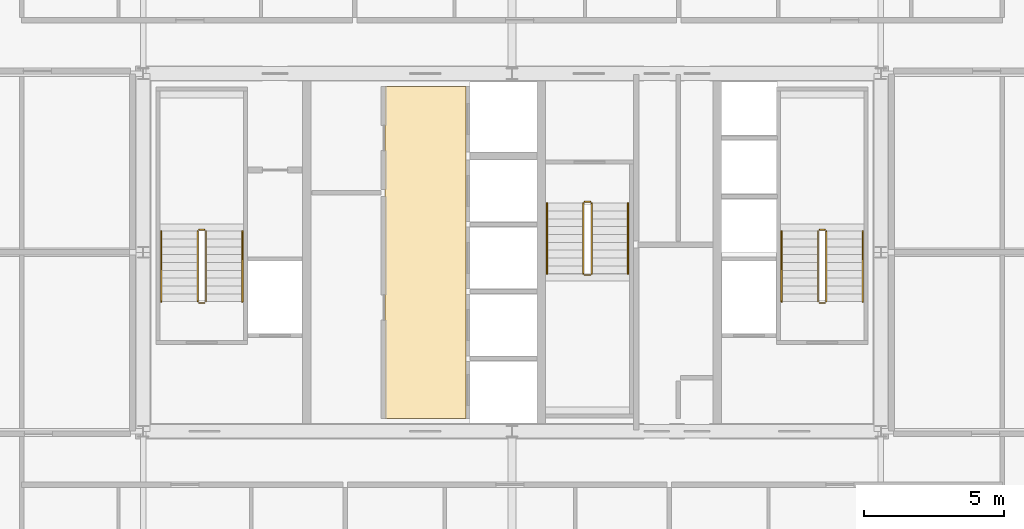
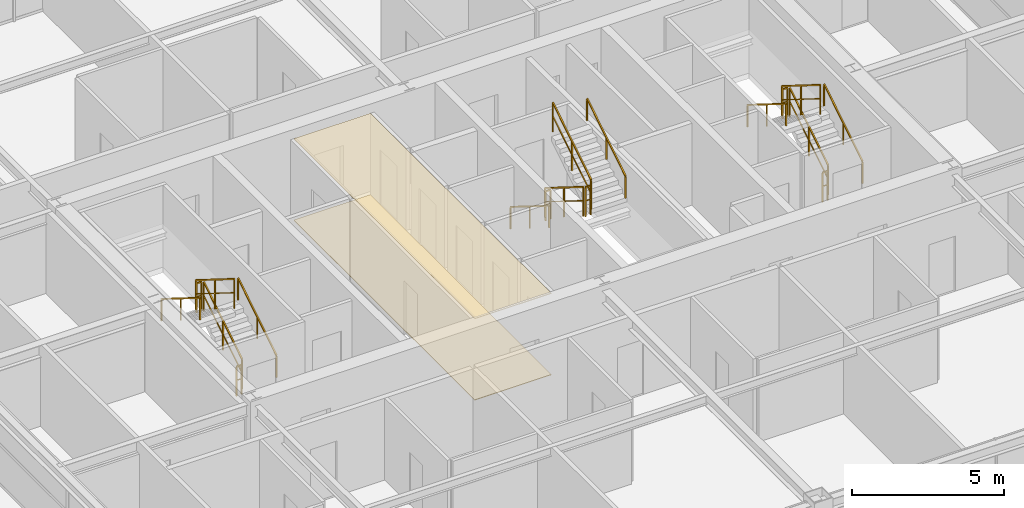
# One storey, part 36 of 36: 18 railings, 2 coverings.
"""IFC4 building model written with IfcOpenShell, lengths in metres."""

from ifc_helpers import new_model, si_unit, direction, frame, origin, origin_2d, place, context, subcontext, project, spatial, polyline, rectangle, outline, extrude, source, transform, mapped, material, layer, layer_set, type_object, element, save


model = new_model("IFC4")

# Units and contexts
model_context = context("Model", 3, precision=1e-05, world=origin(), true_north=direction((0.0, 1.0)))
body_context = subcontext(model_context, "Body", "Model", "MODEL_VIEW")
ifc_project = project(units=[si_unit("LENGTHUNIT", "METRE"), si_unit("AREAUNIT", "SQUARE_METRE"), si_unit("VOLUMEUNIT", "CUBIC_METRE"), si_unit("PLANEANGLEUNIT", "RADIAN"), si_unit("MASSUNIT", "GRAM", prefix="KILO"), si_unit("THERMODYNAMICTEMPERATUREUNIT", "KELVIN"), si_unit("POWERUNIT", "WATT")], contexts=[model_context])

# Site, building, storey
site_placement = place(None, origin())
site = spatial("IfcSite", under=ifc_project, at=site_placement, CompositionType="ELEMENT")
building_placement = place(site_placement, origin())
building = spatial("IfcBuilding", under=site, at=building_placement, Name="Yuzanri Waterfront Tower", CompositionType="ELEMENT")
storey_placement = place(building_placement, frame((0.0, 0.0, 238.10009765625)))
storey = spatial("IfcBuildingStorey", under=building, at=storey_placement, Name="L63", CompositionType="ELEMENT", Elevation=238.10009765625)

# Coverings
ifc_material_1 = material(Name="Engineered Smoked-Oak Timber", Category="wood")
ifc_layer_1 = layer(ifc_material_1, 0.02197265625)
ifc_layer_set_1 = layer_set([ifc_layer_1], Name="Engineered Smoked-Oak Timber")
covering_type_1 = type_object("IfcCoveringType", Name="Engineered Smoked-Oak Residence Flooring 22", PredefinedType="FLOORING", material=ifc_layer_set_1)
covering_1_placement = place(storey_placement, origin())
element("IfcCovering", 1, at=covering_1_placement, inside=storey, type_object=covering_type_1, Name="L63 Smoked-Oak Floor Finish", PredefinedType="FLOORING", context=body_context, shape_type="SweptSolid", body=[
    extrude(outline(polyline([(32.449951171875, 19.860107421875), (35.35009765625, 19.860107421875), (35.35009765625, 31.739990234375), (32.449951171875, 31.739990234375), (32.449951171875, 19.860107421875)])), origin(), (0.0, 0.0, 1.0), 0.02197265625),
])
ifc_material_2 = material(Name="Acoustic Mineral-Fibre Ceiling Board", Category="gypsum")
ifc_layer_2 = layer(ifc_material_2, 0.02490234375)
ifc_layer_set_2 = layer_set([ifc_layer_2], Name="Acoustic Mineral-Fibre Ceiling Board")
covering_type_2 = type_object("IfcCoveringType", Name="Perforated Mineral-Fibre Acoustic Ceiling Tile 25", PredefinedType="CEILING", material=ifc_layer_set_2)
covering_2_placement = place(storey_placement, frame((0.0, 0.0, 3.2548828125)))
element("IfcCovering", 2, at=covering_2_placement, inside=storey, type_object=covering_type_2, Name="L63 Acoustic Mineral-Fibre Ceiling", PredefinedType="CEILING", context=body_context, shape_type="SweptSolid", body=[
    extrude(outline(polyline([(32.449951171875, 19.860107421875), (35.35009765625, 19.860107421875), (35.35009765625, 31.739990234375), (32.449951171875, 31.739990234375), (32.449951171875, 19.860107421875)])), origin(), (0.0, 0.0, 1.0), 0.02490234375),
])

# Railings
ifc_material_3 = material(Name="Painted Galvanized Fire Steel", Category="steel")
ifc_layer_3 = layer(ifc_material_3, 0.06005859375)
ifc_layer_set_3 = layer_set([ifc_layer_3], Name="Painted Galvanized Fire Steel")
railing_type_1 = type_object("IfcRailingType", Name="Painted Steel Stairwell Guardrail 1120", PredefinedType="GUARDRAIL", material=ifc_layer_set_3)
shared_shape_1 = source(origin(), body_context, "Body", "SweptSolid", [
    extrude(rectangle(XDim=0.050048828125, YDim=0.050048828125, at=origin_2d()), frame((0.0, 0.0, 1.1748046875), z_axis=(-1.0, 0.0, 0.0), x_axis=(0.0, -1.0, 0.0)), (0.0, 0.0, 1.0), 0.199951171875),
    extrude(rectangle(XDim=0.035888671875, YDim=0.030029296875, at=origin_2d()), frame((0.0, 0.0, 0.6240234375), z_axis=(-1.0, 0.0, 0.0), x_axis=(0.0, -1.0, 0.0)), (0.0, 0.0, 1.0), 0.199951171875),
    extrude(rectangle(XDim=0.0458984375, YDim=0.0458984375, at=origin_2d()), origin(), (0.0, 0.0, 1.0), 1.14990234375),
    extrude(rectangle(XDim=0.0458984375, YDim=0.0458984375, at=origin_2d()), frame((-0.199951171875, 0.0, 0.0)), (0.0, 0.0, 1.0), 1.14990234375),
])
for number, where, name in (
    (3, (26.0, 26.610107421875, 1.75), "L63 ST-01 stair guard 2"),
    (4, (26.0, 23.989990234375, 0.0), "L63 ST-01 stair guard 4"),
    (5, (48.199951171875, 26.610107421875, 1.75), "L63 ST-02 stair guard 2"),
    (6, (48.199951171875, 23.989990234375, 0.0), "L63 ST-02 stair guard 4"),
):
    element("IfcRailing", number, at=place(storey_placement, frame(where)), inside=storey, type_object=railing_type_1, Name=name, PredefinedType="GUARDRAIL", context=body_context, shape_type="MappedRepresentation", body=[
        mapped(shared_shape_1, transform((0.0, 0.0, 0.0), scale=1.0)),
    ])
shared_shape_2 = source(origin(), body_context, "Body", "SweptSolid", [
    extrude(rectangle(XDim=0.050048828125, YDim=0.050048828125, at=origin_2d()), frame((0.0, 0.0, 1.1748046875), z_axis=(0.0, 0.847970611238, 0.530043245855), x_axis=(-1.0, 0.0, 0.0)), (0.0, 0.0, 1.0), 2.971923828125),
    extrude(rectangle(XDim=0.035888671875, YDim=0.030029296875, at=origin_2d()), frame((0.0, 0.0, 0.6240234375), z_axis=(0.0, 0.847970611238, 0.530043245855), x_axis=(-1.0, 0.0, 0.0)), (0.0, 0.0, 1.0), 2.971923828125),
    extrude(rectangle(XDim=0.0458984375, YDim=0.0458984375, at=origin_2d()), origin(), (0.0, 0.0, 1.0), 1.14990234375),
    extrude(rectangle(XDim=0.0458984375, YDim=0.0458984375, at=origin_2d()), frame((0.0, 1.260009765625, 0.78759765625)), (0.0, 0.0, 1.0), 1.14990234375),
    extrude(rectangle(XDim=0.0458984375, YDim=0.0458984375, at=origin_2d()), frame((0.0, 2.52001953125, 1.5751953125)), (0.0, 0.0, 1.0), 1.14990234375),
])
for number, where, name in (
    (7, (26.050048828125, 24.0400390625, 0.1748046875), "L63 ST-01 stair guard 1"),
    (8, (48.25, 24.0400390625, 0.1748046875), "L63 ST-02 stair guard 1"),
    (9, (39.85009765625, 25.0400390625, 1.9248046875), "L63 ST-03 stair guard 3"),
):
    element("IfcRailing", number, at=place(storey_placement, frame(where)), inside=storey, type_object=railing_type_1, Name=name, PredefinedType="GUARDRAIL", context=body_context, shape_type="MappedRepresentation", body=[
        mapped(shared_shape_2, transform((0.0, 0.0, 0.0), scale=1.0)),
    ])
shared_shape_3 = source(origin(), body_context, "Body", "SweptSolid", [
    extrude(rectangle(XDim=0.050048828125, YDim=0.050048828125, at=origin_2d()), frame((0.0, 0.0, 1.1748046875), z_axis=(0.0, -0.847970611238, 0.530043245855), x_axis=(1.0, 0.0, 0.0)), (0.0, 0.0, 1.0), 2.971923828125),
    extrude(rectangle(XDim=0.035888671875, YDim=0.030029296875, at=origin_2d()), frame((0.0, 0.0, 0.6240234375), z_axis=(0.0, -0.847970611238, 0.530043245855), x_axis=(1.0, 0.0, 0.0)), (0.0, 0.0, 1.0), 2.971923828125),
    extrude(rectangle(XDim=0.0458984375, YDim=0.0458984375, at=origin_2d()), origin(), (0.0, 0.0, 1.0), 1.14990234375),
    extrude(rectangle(XDim=0.0458984375, YDim=0.0458984375, at=origin_2d()), frame((0.0, -1.260009765625, 0.78759765625)), (0.0, 0.0, 1.0), 1.14990234375),
    extrude(rectangle(XDim=0.0458984375, YDim=0.0458984375, at=origin_2d()), frame((0.0, -2.52001953125, 1.5751953125)), (0.0, 0.0, 1.0), 1.14990234375),
])
for number, where, name in (
    (10, (25.75, 26.56005859375, 1.9248046875), "L63 ST-01 stair guard 3"),
    (11, (47.949951171875, 26.56005859375, 1.9248046875), "L63 ST-02 stair guard 3"),
    (12, (39.550048828125, 27.56005859375, 0.1748046875), "L63 ST-03 stair guard 1"),
):
    element("IfcRailing", number, at=place(storey_placement, frame(where)), inside=storey, type_object=railing_type_1, Name=name, PredefinedType="GUARDRAIL", context=body_context, shape_type="MappedRepresentation", body=[
        mapped(shared_shape_3, transform((0.0, 0.0, 0.0), scale=1.0)),
    ])
ifc_material_4 = material(Name="Anodized Architectural Bronze", Category="metal")
ifc_layer_4 = layer(ifc_material_4, 0.050048828125)
ifc_layer_set_4 = layer_set([ifc_layer_4], Name="Anodized Architectural Bronze")
railing_type_2 = type_object("IfcRailingType", Name="Brushed Bronze Stair Pitch Handrail 920", PredefinedType="HANDRAIL", material=ifc_layer_set_4)
shared_shape_4 = source(origin(), body_context, "Body", "SweptSolid", [
    extrude(rectangle(XDim=0.050048828125, YDim=0.050048828125, at=origin_2d()), frame((0.0, 0.0, 0.875), z_axis=(0.0, 0.847970611238, 0.530043245855), x_axis=(-1.0, 0.0, 0.0)), (0.0, 0.0, 1.0), 2.971923828125),
    extrude(rectangle(XDim=0.0458984375, YDim=0.0458984375, at=origin_2d()), origin(), (0.0, 0.0, 1.0), 0.849853515625),
    extrude(rectangle(XDim=0.0458984375, YDim=0.0458984375, at=origin_2d()), frame((0.0, 1.260009765625, 0.78759765625)), (0.0, 0.0, 1.0), 0.849853515625),
    extrude(rectangle(XDim=0.0458984375, YDim=0.0458984375, at=origin_2d()), frame((0.0, 2.52001953125, 1.5751953125)), (0.0, 0.0, 1.0), 0.849853515625),
])
for number, where, name in (
    (13, (27.35009765625, 24.0400390625, 0.1748046875), "L63 ST-01 stair handrail 1"),
    (14, (49.550048828125, 24.0400390625, 0.1748046875), "L63 ST-02 stair handrail 1"),
    (15, (41.14990234375, 25.0400390625, 1.9248046875), "L63 ST-03 stair handrail 2"),
):
    element("IfcRailing", number, at=place(storey_placement, frame(where)), inside=storey, type_object=railing_type_2, Name=name, PredefinedType="HANDRAIL", context=body_context, shape_type="MappedRepresentation", body=[
        mapped(shared_shape_4, transform((0.0, 0.0, 0.0), scale=1.0)),
    ])
shared_shape_5 = source(origin(), body_context, "Body", "SweptSolid", [
    extrude(rectangle(XDim=0.050048828125, YDim=0.050048828125, at=origin_2d()), frame((0.0, 0.0, 0.875), z_axis=(0.0, -0.847970611238, 0.530043245855), x_axis=(1.0, 0.0, 0.0)), (0.0, 0.0, 1.0), 2.971923828125),
    extrude(rectangle(XDim=0.0458984375, YDim=0.0458984375, at=origin_2d()), origin(), (0.0, 0.0, 1.0), 0.849853515625),
    extrude(rectangle(XDim=0.0458984375, YDim=0.0458984375, at=origin_2d()), frame((0.0, -1.260009765625, 0.78759765625)), (0.0, 0.0, 1.0), 0.849853515625),
    extrude(rectangle(XDim=0.0458984375, YDim=0.0458984375, at=origin_2d()), frame((0.0, -2.52001953125, 1.5751953125)), (0.0, 0.0, 1.0), 0.849853515625),
])
for number, where, name in (
    (16, (24.449951171875, 26.56005859375, 1.9248046875), "L63 ST-01 stair handrail 2"),
    (17, (46.64990234375, 26.56005859375, 1.9248046875), "L63 ST-02 stair handrail 2"),
    (18, (38.25, 27.56005859375, 0.1748046875), "L63 ST-03 stair handrail 1"),
):
    element("IfcRailing", number, at=place(storey_placement, frame(where)), inside=storey, type_object=railing_type_2, Name=name, PredefinedType="HANDRAIL", context=body_context, shape_type="MappedRepresentation", body=[
        mapped(shared_shape_5, transform((0.0, 0.0, 0.0), scale=1.0)),
    ])
shared_shape_6 = source(origin(), body_context, "Body", "SweptSolid", [
    extrude(rectangle(XDim=0.050048828125, YDim=0.050048828125, at=origin_2d()), frame((0.0, 0.0, 1.1748046875), z_axis=(1.0, 0.0, 0.0), x_axis=(0.0, 1.0, 0.0)), (0.0, 0.0, 1.0), 0.199951171875),
    extrude(rectangle(XDim=0.035888671875, YDim=0.030029296875, at=origin_2d()), frame((0.0, 0.0, 0.6240234375), z_axis=(1.0, 0.0, 0.0), x_axis=(0.0, 1.0, 0.0)), (0.0, 0.0, 1.0), 0.199951171875),
    extrude(rectangle(XDim=0.0458984375, YDim=0.0458984375, at=origin_2d()), origin(), (0.0, 0.0, 1.0), 1.14990234375),
    extrude(rectangle(XDim=0.0458984375, YDim=0.0458984375, at=origin_2d()), frame((0.199951171875, 0.0, 0.0)), (0.0, 0.0, 1.0), 1.14990234375),
])
for number, where, name in (
    (19, (39.60009765625, 24.989990234375, 1.75), "L63 ST-03 stair guard 2"),
    (20, (39.60009765625, 27.610107421875, 0.0), "L63 ST-03 stair guard 4"),
):
    element("IfcRailing", number, at=place(storey_placement, frame(where)), inside=storey, type_object=railing_type_1, Name=name, PredefinedType="GUARDRAIL", context=body_context, shape_type="MappedRepresentation", body=[
        mapped(shared_shape_6, transform((0.0, 0.0, 0.0), scale=1.0)),
    ])

save(model, "model.ifc")
